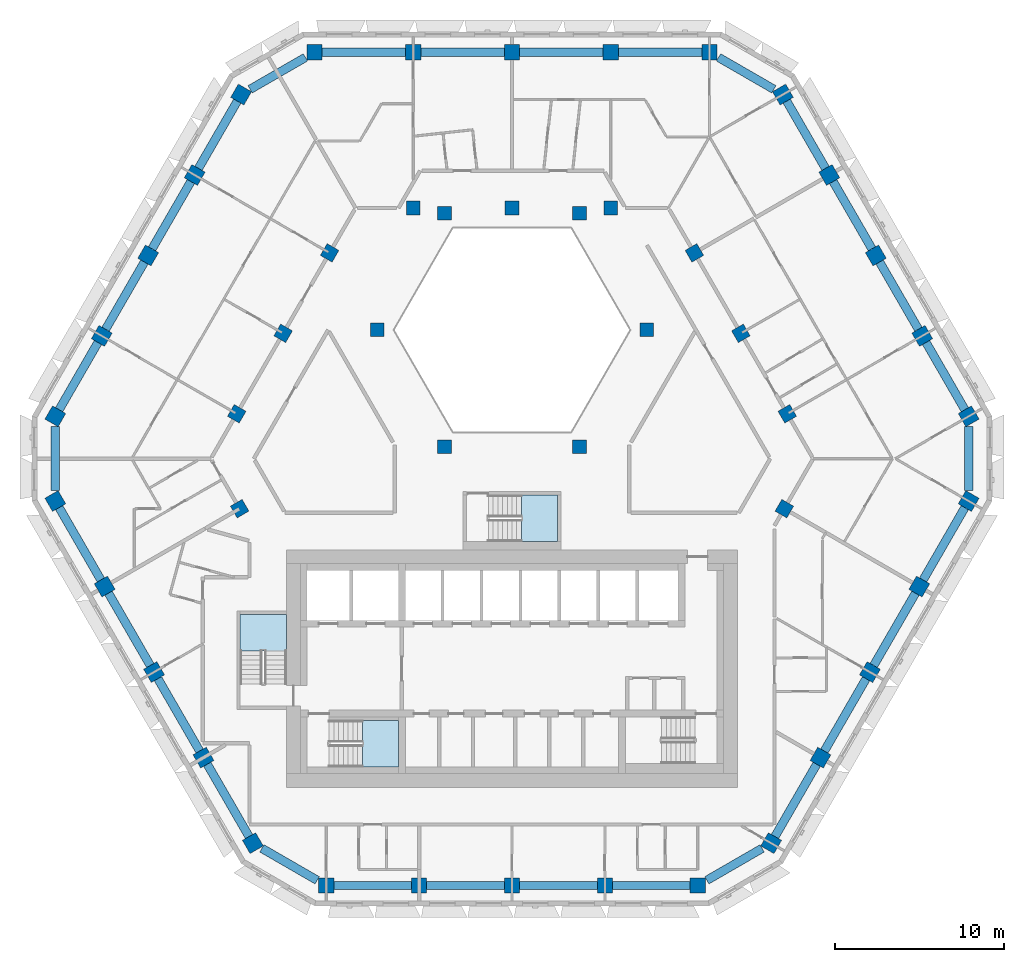
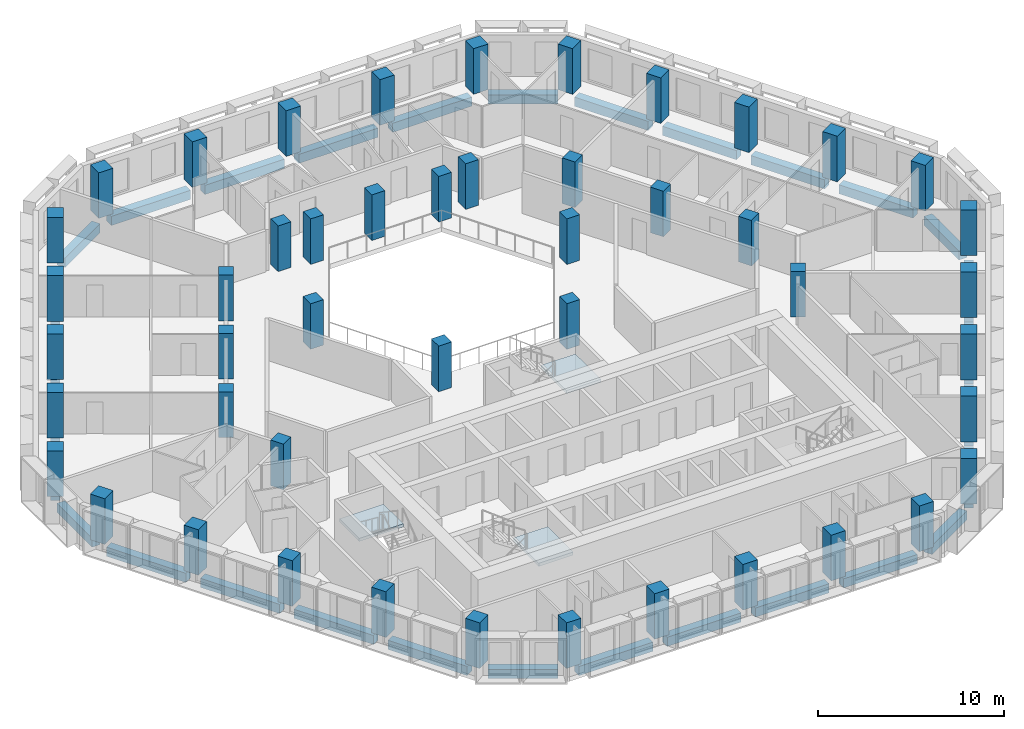
# One storey, part 1 of 18: 47 columns, 30 beams, 3 slabs, 3 elements without a shape of their own.
"""IFC4 building model written with IfcOpenShell, lengths in metres."""

import ifcopenshell
import ifcopenshell.guid

model = None  # the IFC model being written
_history = None  # IfcOwnerHistory: only IFC2X3 demands one
_inside = {}  # id of a spatial element -> (the spatial element, [elements in it])
_under = {}  # id of a project, library or spatial element -> (it, [spatial elements below it])
_declared = {}  # id of a project -> (the project, [libraries it declares])
_typed = {}  # id of a type object -> (the type object, [elements of that type])
_made_of = {}  # id of a material, layer set ... -> (it, [elements and type objects made of it])


def new_model(schema):
    """Start an empty IFC model of exactly this schema.

    Asked for "IFC4X3", IfcOpenShell would pick the latest addendum, in which some entities
    have other attributes; the version numbers below select the first issue.
    IFC2X3 requires an IfcOwnerHistory on every rooted entity: one is made here for all.
    """
    global model, _history
    if schema == "IFC4X3":
        model = ifcopenshell.file(schema_version=(4, 3, 0, 0))
    else:
        model = ifcopenshell.file(schema=schema)
    _inside.clear()
    _under.clear()
    _declared.clear()
    _typed.clear()
    _made_of.clear()
    _history = None
    if model.schema == "IFC2X3":
        org = make("IfcOrganization", Name="unknown")
        user = make(
            "IfcPersonAndOrganization",
            ThePerson=make("IfcPerson", FamilyName="unknown"),
            TheOrganization=org,
        )
        app = make(
            "IfcApplication",
            ApplicationDeveloper=org,
            Version="unknown",
            ApplicationFullName="unknown",
            ApplicationIdentifier="unknown",
        )
        _history = make(
            "IfcOwnerHistory",
            OwningUser=user,
            OwningApplication=app,
            ChangeAction="ADDED",
            CreationDate=0,
        )
    return model


def make(cls, **values):
    """One entity of the class cls with the attributes given. An attribute that is None is left unset."""
    return model.create_entity(
        cls, **{name: value for name, value in values.items() if value is not None}
    )


def rooted(cls, **values):
    """An entity with a GlobalId (a new one), such as an element, a storey or a relation."""
    return make(cls, GlobalId=ifcopenshell.guid.new(), OwnerHistory=_history, **values)


def si_unit(unit_type, name, prefix=None):
    """IfcSIUnit, for example si_unit("LENGTHUNIT", "METRE", prefix="MILLI")."""
    return make("IfcSIUnit", UnitType=unit_type, Prefix=prefix, Name=name)


def assignment(units):
    """IfcUnitAssignment: the units of a project."""
    return None if units is None else make("IfcUnitAssignment", Units=units)


def point(xyz):
    """IfcCartesianPoint."""
    return None if xyz is None else make("IfcCartesianPoint", Coordinates=xyz)


def direction(xyz):
    """IfcDirection."""
    return None if xyz is None else make("IfcDirection", DirectionRatios=xyz)


def frame(location, z_axis=None, x_axis=None):
    """IfcAxis2Placement3D, a coordinate frame: its origin and axes. An axis left out is left unset."""
    return make(
        "IfcAxis2Placement3D",
        Location=point(location),
        Axis=direction(z_axis),
        RefDirection=direction(x_axis),
    )


def frame_2d(location, x_axis=None):
    """IfcAxis2Placement2D, a coordinate frame in the plane: its origin and x axis."""
    return make(
        "IfcAxis2Placement2D", Location=point(location), RefDirection=direction(x_axis)
    )


def origin():
    """The frame at (0, 0, 0) with its axes left unset."""
    return frame((0.0, 0.0, 0.0))


def origin_2d():
    """The frame at (0, 0) in the plane with its x axis left unset."""
    return frame_2d((0.0, 0.0))


def place(relative_to, where):
    """IfcLocalPlacement: puts the frame where relative to a parent placement (None: the world)."""
    return make(
        "IfcLocalPlacement", PlacementRelTo=relative_to, RelativePlacement=where
    )


def context(
    kind, dimensions, precision=None, world=None, true_north=None, identifier=None
):
    """IfcGeometricRepresentationContext, for example the 3D "Model" context."""
    return make(
        "IfcGeometricRepresentationContext",
        ContextIdentifier=identifier,
        ContextType=kind,
        CoordinateSpaceDimension=dimensions,
        Precision=precision,
        WorldCoordinateSystem=world,
        TrueNorth=true_north,
    )


def subcontext(parent, identifier, kind, view, scale=None):
    """IfcGeometricRepresentationSubContext, for example "Body" below "Model"."""
    return make(
        "IfcGeometricRepresentationSubContext",
        ContextIdentifier=identifier,
        ContextType=kind,
        ParentContext=parent,
        TargetScale=scale,
        TargetView=view,
    )


def project(units=None, contexts=None):
    """IfcProject with its units and contexts."""
    return rooted(
        "IfcProject",
        Name="project",
        RepresentationContexts=contexts,
        UnitsInContext=assignment(units),
    )


def spatial(cls, under=None, at=None, **own):
    """A site, building, storey or space (cls), placed at a placement, below another one or the project."""
    s = rooted(cls, ObjectPlacement=at, **own)
    if under is not None:
        _under.setdefault(under.id(), (under, []))[1].append(s)
    return s


def polyline(points):
    """IfcPolyline through the points."""
    return make("IfcPolyline", Points=[point(p) for p in points])


def profile(cls, at=None, kind="AREA", **sizes):
    """A parametric profile (cls). Its sizes go by their IFC names, for example OverallWidth=200.0."""
    return make(cls, ProfileType=kind, Position=at, **sizes)


def rectangle(**sizes):
    """IfcRectangleProfileDef."""
    return profile("IfcRectangleProfileDef", **sizes)


def outline(outer, holes=None, kind="AREA"):
    """IfcArbitraryClosedProfileDef: a profile drawn as a closed curve; with holes, ...WithVoids."""
    if holes is None:
        return make("IfcArbitraryClosedProfileDef", ProfileType=kind, OuterCurve=outer)
    return make(
        "IfcArbitraryProfileDefWithVoids",
        ProfileType=kind,
        OuterCurve=outer,
        InnerCurves=holes,
    )


def extrude(swept, where, along, depth):
    """IfcExtrudedAreaSolid: the profile swept, set in the frame where, extruded along a direction by depth."""
    return make(
        "IfcExtrudedAreaSolid",
        SweptArea=swept,
        Position=where,
        ExtrudedDirection=direction(along),
        Depth=depth,
    )


def shape(context_of_items, identifier, shape_type, items):
    """IfcShapeRepresentation: the items that make up one representation, for example the "Body"."""
    return make(
        "IfcShapeRepresentation",
        ContextOfItems=context_of_items,
        RepresentationIdentifier=identifier,
        RepresentationType=shape_type,
        Items=items,
    )


def material(Name=None, Category=None):
    """IfcMaterial."""
    return make("IfcMaterial", Name=Name, Category=Category)


def layer(
    of_material, thickness, ventilated=None, Name=None, Category=None, Priority=None
):
    """IfcMaterialLayer: one layer of a wall or slab, of a material (None: an air gap)."""
    return make(
        "IfcMaterialLayer",
        Material=of_material,
        LayerThickness=thickness,
        IsVentilated=ventilated,
        Name=Name,
        Category=Category,
        Priority=Priority,
    )


def layer_set(layers, Name=None):
    """IfcMaterialLayerSet."""
    return make("IfcMaterialLayerSet", MaterialLayers=layers, LayerSetName=Name)


def material_profile(
    of_material, cross_section, Name=None, Category=None, Priority=None
):
    """IfcMaterialProfile: a cross section and its material."""
    return make(
        "IfcMaterialProfile",
        Name=Name,
        Material=of_material,
        Profile=cross_section,
        Priority=Priority,
        Category=Category,
    )


def profile_set(profiles, Name=None, composite=None):
    """IfcMaterialProfileSet."""
    return make(
        "IfcMaterialProfileSet",
        Name=Name,
        MaterialProfiles=profiles,
        CompositeProfile=composite,
    )


def made_of(thing, what):
    """Note that an element or type object is made of a material, layer set ...; save() writes the relation."""
    if what is not None:
        _made_of.setdefault(what.id(), (what, []))[1].append(thing)
    return thing


def type_object(cls, material=None, **own):
    """A type object (cls), such as IfcWallType, which elements share."""
    return made_of(rooted(cls, **own), material)


def element(
    cls,
    number,
    at=None,
    inside=None,
    cuts=None,
    type_object=None,
    material=None,
    context=None,
    identifier="Body",
    shape_type=None,
    held_by="IfcProductDefinitionShape",
    body=None,
    shapes=None,
    **own,
):
    """One element of the class cls, such as IfcWall. Its Tag is "e" and its number.

    at: its placement. inside: the storey or other place that contains it. cuts: it is an
    opening in that element (IfcRelVoidsElement). A single representation is given by context,
    identifier, shape_type and body (its items); several are given by shapes. held_by: the class
    of the entity that holds the representations. save() writes the other relations.
    """
    e = rooted(cls, Tag="e%d" % number, ObjectPlacement=at, **own)
    if body is not None:
        shapes = [shape(context, identifier, shape_type, body)]
    if shapes is not None:
        e.Representation = make(held_by, Representations=shapes)
    if inside is not None:
        _inside.setdefault(inside.id(), (inside, []))[1].append(e)
    if cuts is not None:
        rooted(
            "IfcRelVoidsElement", RelatingBuildingElement=cuts, RelatedOpeningElement=e
        )
    if type_object is not None:
        _typed.setdefault(type_object.id(), (type_object, []))[1].append(e)
    return made_of(e, material)


def aggregate(whole, parts):
    """IfcRelAggregates: a whole, such as a stair, and the parts it consists of."""
    return rooted("IfcRelAggregates", RelatingObject=whole, RelatedObjects=parts)


def save(model, path):
    """Write the relations noted so far, then the file.

    IfcRelAggregates (storeys below a building ...), IfcRelContainedInSpatialStructure (elements
    in a storey), IfcRelDefinesByType, IfcRelAssociatesMaterial and IfcRelDeclares: one each for
    every whole, place, type object, material and project.
    """
    for whole, parts in _under.values():
        aggregate(whole, parts)
    for where, things in _inside.values():
        rooted(
            "IfcRelContainedInSpatialStructure",
            RelatedElements=things,
            RelatingStructure=where,
        )
    for kind, things in _typed.values():
        rooted("IfcRelDefinesByType", RelatedObjects=things, RelatingType=kind)
    for what, things in _made_of.values():
        rooted("IfcRelAssociatesMaterial", RelatedObjects=things, RelatingMaterial=what)
    for by, libraries in _declared.values():
        rooted("IfcRelDeclares", RelatingContext=by, RelatedDefinitions=libraries)
    model.write(path)


model = new_model("IFC4")

# Units and contexts
model_context = context("Model", 3, precision=1e-05, world=origin(), true_north=direction((0.0, 1.0)))
body_context = subcontext(model_context, "Body", "Model", "MODEL_VIEW")
ifc_project = project(units=[si_unit("LENGTHUNIT", "METRE"), si_unit("AREAUNIT", "SQUARE_METRE"), si_unit("VOLUMEUNIT", "CUBIC_METRE"), si_unit("PLANEANGLEUNIT", "RADIAN"), si_unit("MASSUNIT", "GRAM", prefix="KILO")], contexts=[model_context])

# Site, building, storey
site_placement = place(None, origin())
site = spatial("IfcSite", under=ifc_project, at=site_placement, CompositionType="ELEMENT")
building_placement = place(site_placement, origin())
building = spatial("IfcBuilding", under=site, at=building_placement, Name="Beryl Residences", CompositionType="ELEMENT")
storey_placement = place(building_placement, frame((0.0, 0.0, 138.60009765625)))
storey = spatial("IfcBuildingStorey", under=building, at=storey_placement, Name="L42", CompositionType="ELEMENT", Elevation=138.60009765625)

# Columns
ifc_material_1 = material(Name="Concrete C60/75", Category="concrete")
ifc_material_profile_1 = material_profile(ifc_material_1, rectangle(XDim=0.89990234375, YDim=0.89990234375, at=origin_2d()))
ifc_profile_set_1 = profile_set([ifc_material_profile_1], Name="Concrete C60/75")
column_type_1 = type_object("IfcColumnType", Name="C3 tube column 900 x 900 C60/75", PredefinedType="COLUMN", material=ifc_profile_set_1)
for number, where, z_axis, x_axis, name in (
    (1, (11.662109375, 24.39990234375, 0.0), (0.0, 0.0, 1.0), (-1.0, 0.0, 0.0), "C3-N1 L42"),
    (2, (5.8310546875, 24.39990234375, 0.0), (0.0, 0.0, 1.0), (-1.0, 0.0, 0.0), "C3-N2 L42"),
    (3, (0.0, 24.39990234375, 0.0), (0.0, 0.0, 1.0), (-1.0, 0.0, 0.0), "C3-N3 L42"),
    (4, (-5.8310546875, 24.39990234375, 0.0), (0.0, 0.0, 1.0), (-1.0, 0.0, 0.0), "C3-N4 L42"),
    (5, (-11.662109375, 24.39990234375, 0.0), (0.0, 0.0, 1.0), (-1.0, 0.0, 0.0), "C3-N5 L42"),
    (6, (-15.992919921875, 21.89990234375, 0.0), (0.0, 0.0, 1.0), (-0.5, -0.866025403784, 0.0), "C3-NW1 L42"),
    (7, (-18.735107421875, 17.14990234375, 0.0), (0.0, 0.0, 1.0), (-0.5, -0.866025403784, 0.0), "C3-NW2 L42"),
    (8, (-21.47802734375, 12.39990234375, 0.0), (0.0, 0.0, 1.0), (-0.5, -0.866025403784, 0.0), "C3-NW3 L42"),
    (9, (-24.219970703125, 7.64990234375, 0.0), (0.0, 0.0, 1.0), (-0.5, -0.866025403784, 0.0), "C3-NW4 L42"),
    (10, (-26.962890625, 2.89990234375, 0.0), (0.0, 0.0, 1.0), (-0.5, -0.866025403784, 0.0), "C3-NW5 L42"),
    (11, (-26.9619140625, -2.10009765625, 0.0), (0.0, 0.0, 1.0), (0.5, -0.866025403784, 0.0), "C3-SW1 L42"),
    (12, (-24.047119140625, -7.14892578125, 0.0), (0.0, 0.0, 1.0), (0.5, -0.866025403784, 0.0), "C3-SW2 L42"),
    (13, (-21.131103515625, -12.198974609375, 0.0), (0.0, 0.0, 1.0), (0.5, -0.866025403784, 0.0), "C3-SW3 L42"),
    (14, (-18.216064453125, -17.2490234375, 0.0), (0.0, 0.0, 1.0), (0.5, -0.866025403784, 0.0), "C3-SW4 L42"),
    (15, (-15.300048828125, -22.299072265625, 0.0), (0.0, 0.0, 1.0), (0.5, -0.866025403784, 0.0), "C3-SW5 L42"),
    (16, (-10.968994140625, -24.800048828125, 0.0), (0.0, 0.0, 1.0), (1.0, 0.0, 0.0), "C3-S1 L42"),
    (17, (-5.48388671875, -24.800048828125, 0.0), (0.0, 0.0, 1.0), (1.0, 0.0, 0.0), "C3-S2 L42"),
    (18, (0.0009765625, -24.800048828125, 0.0), (0.0, 0.0, 1.0), (1.0, 0.0, 0.0), "C3-S3 L42"),
    (19, (5.486083984375, -24.800048828125, 0.0), (0.0, 0.0, 1.0), (1.0, 0.0, 0.0), "C3-S4 L42"),
    (20, (10.970947265625, -24.800048828125, 0.0), (0.0, 0.0, 1.0), (1.0, 0.0, 0.0), "C3-S5 L42"),
    (21, (15.299072265625, -22.300048828125, 0.0), (0.0, 0.0, 1.0), (0.5, 0.866025403784, 0.0), "C3-SE1 L42"),
    (22, (18.215087890625, -17.2509765625, 0.0), (0.0, 0.0, 1.0), (0.5, 0.866025403784, 0.0), "C3-SE2 L42"),
    (23, (21.1298828125, -12.200927734375, 0.0), (0.0, 0.0, 1.0), (0.5, 0.866025403784, 0.0), "C3-SE3 L42"),
    (24, (24.0458984375, -7.15087890625, 0.0), (0.0, 0.0, 1.0), (0.5, 0.866025403784, 0.0), "C3-SE4 L42"),
    (25, (26.9609375, -2.10107421875, 0.0), (0.0, 0.0, 1.0), (0.5, 0.866025403784, 0.0), "C3-SE5 L42"),
    (26, (26.962890625, 2.89990234375, 0.0), (0.0, 0.0, 1.0), (-0.5, 0.866025403784, 0.0), "C3-NE1 L42"),
    (27, (24.219970703125, 7.64990234375, 0.0), (0.0, 0.0, 1.0), (-0.5, 0.866025403784, 0.0), "C3-NE2 L42"),
    (28, (21.47802734375, 12.39990234375, 0.0), (0.0, 0.0, 1.0), (-0.5, 0.866025403784, 0.0), "C3-NE3 L42"),
    (29, (18.735107421875, 17.14990234375, 0.0), (0.0, 0.0, 1.0), (-0.5, 0.866025403784, 0.0), "C3-NE4 L42"),
    (30, (15.992919921875, 21.89990234375, 0.0), (0.0, 0.0, 1.0), (-0.5, 0.866025403784, 0.0), "C3-NE5 L42"),
):
    element("IfcColumn", number, at=place(storey_placement, frame(where, z_axis=z_axis, x_axis=x_axis)), inside=storey, type_object=column_type_1, Name=name, PredefinedType="COLUMN", context=body_context, shape_type="SweptSolid", body=[
        extrude(rectangle(XDim=0.89990234375, YDim=0.89990234375, at=origin_2d()), origin(), (0.0, 0.0, 1.0), 3.0),
    ])
ifc_material_2 = material(Name="Concrete C60/75", Category="concrete")
ifc_material_profile_2 = material_profile(ifc_material_2, rectangle(XDim=0.800048828125, YDim=0.800048828125, at=origin_2d()))
ifc_profile_set_2 = profile_set([ifc_material_profile_2], Name="Concrete C60/75")
column_type_2 = type_object("IfcColumnType", Name="IC3 interior column 800 x 800 C60/75", PredefinedType="COLUMN", material=ifc_profile_set_2)
for number, where, z_axis, x_axis, name in (
    (31, (-16.0791015625, -2.549072265625, 0.0), (0.0, 0.0, 1.0), (0.5, -0.866025403784, 0.0), "IC3-M01 L42"),
    (32, (16.077880859375, -2.551025390625, 0.0), (0.0, 0.0, 1.0), (0.5, 0.866025403784, 0.0), "IC3-M02 L42"),
    (33, (16.2529296875, 3.050048828125, 0.0), (0.0, 0.0, 1.0), (-0.5, 0.866025403784, 0.0), "IC3-M03 L42"),
    (34, (3.98388671875, 1.10009765625, 0.0), (0.0, 0.0, 1.0), (1.0, 0.0, 0.0), "IC3-A04 L42"),
    (35, (13.510009765625, 7.800048828125, 0.0), (0.0, 0.0, 1.0), (-0.5, 0.866025403784, 0.0), "IC3-M05 L42"),
    (36, (7.967041015625, 8.0, 0.0), (0.0, 0.0, 1.0), (1.0, 0.0, 0.0), "IC3-A06 L42"),
    (37, (10.76806640625, 12.550048828125, 0.0), (0.0, 0.0, 1.0), (-0.5, 0.866025403784, 0.0), "IC3-M07 L42"),
    (38, (5.8310546875, 15.199951171875, 0.0), (0.0, 0.0, 1.0), (-1.0, 0.0, 0.0), "IC3-M08 L42"),
    (39, (3.98388671875, 14.89990234375, 0.0), (0.0, 0.0, 1.0), (1.0, 0.0, 0.0), "IC3-A09 L42"),
    (40, (0.0, 15.199951171875, 0.0), (0.0, 0.0, 1.0), (-1.0, 0.0, 0.0), "IC3-M10 L42"),
    (41, (-3.98388671875, 14.89990234375, 0.0), (0.0, 0.0, 1.0), (1.0, 0.0, 0.0), "IC3-A11 L42"),
    (42, (-5.8310546875, 15.199951171875, 0.0), (0.0, 0.0, 1.0), (-1.0, 0.0, 0.0), "IC3-M12 L42"),
    (43, (-10.76806640625, 12.550048828125, 0.0), (0.0, 0.0, 1.0), (-0.5, -0.866025403784, 0.0), "IC3-M13 L42"),
    (44, (-7.967041015625, 8.0, 0.0), (0.0, 0.0, 1.0), (1.0, 0.0, 0.0), "IC3-A14 L42"),
    (45, (-13.510009765625, 7.800048828125, 0.0), (0.0, 0.0, 1.0), (-0.5, -0.866025403784, 0.0), "IC3-M15 L42"),
    (46, (-3.98388671875, 1.10009765625, 0.0), (0.0, 0.0, 1.0), (1.0, 0.0, 0.0), "IC3-A16 L42"),
    (47, (-16.2529296875, 3.050048828125, 0.0), (0.0, 0.0, 1.0), (-0.5, -0.866025403784, 0.0), "IC3-M17 L42"),
):
    element("IfcColumn", number, at=place(storey_placement, frame(where, z_axis=z_axis, x_axis=x_axis)), inside=storey, type_object=column_type_2, Name=name, PredefinedType="COLUMN", context=body_context, shape_type="SweptSolid", body=[
        extrude(rectangle(XDim=0.800048828125, YDim=0.800048828125, at=origin_2d()), origin(), (0.0, 0.0, 1.0), 3.0),
    ])

# Beams
ifc_material_3 = material(Name="Concrete C60/75", Category="concrete")
ifc_material_profile_3 = material_profile(ifc_material_3, rectangle(XDim=0.5, YDim=0.60009765625, at=origin_2d()))
ifc_profile_set_3 = profile_set([ifc_material_profile_3], Name="Concrete C60/75")
beam_type = type_object("IfcBeamType", Name="SB3 spandrel beam 500 x 600 C60/75", PredefinedType="SPANDREL", material=ifc_profile_set_3)
beam_1_placement = place(storey_placement, frame((11.2119140625, 24.39990234375, -0.60009765625), z_axis=(-1.0, 0.0, 0.0), x_axis=(0.0, -1.0, 0.0)))
element("IfcBeam", 48, at=beam_1_placement, inside=storey, type_object=beam_type, Name="SB3 L42 N-0", PredefinedType="SPANDREL", context=body_context, shape_type="SweptSolid", body=[
    extrude(rectangle(XDim=0.5, YDim=0.60009765625, at=origin_2d()), origin(), (0.0, 0.0, 1.0), 4.930908203125),
])
for number, where, z_axis, x_axis, name in (
    (49, (5.381103515625, 24.39990234375, -0.60009765625), (-1.0, 0.0, 0.0), (0.0, -1.0, 0.0), "SB3 L42 N-1"),
    (50, (-0.449951171875, 24.39990234375, -0.60009765625), (-1.0, 0.0, 0.0), (0.0, -1.0, 0.0), "SB3 L42 N-2"),
):
    element("IfcBeam", number, at=place(storey_placement, frame(where, z_axis=z_axis, x_axis=x_axis)), inside=storey, type_object=beam_type, Name=name, PredefinedType="SPANDREL", context=body_context, shape_type="SweptSolid", body=[
        extrude(rectangle(XDim=0.5, YDim=0.60009765625, at=origin_2d()), origin(), (0.0, 0.0, 1.0), 4.93115234375),
    ])
beam_2_placement = place(storey_placement, frame((-6.281005859375, 24.39990234375, -0.60009765625), z_axis=(-1.0, 0.0, 0.0), x_axis=(0.0, -1.0, 0.0)))
element("IfcBeam", 51, at=beam_2_placement, inside=storey, type_object=beam_type, Name="SB3 L42 N-3", PredefinedType="SPANDREL", context=body_context, shape_type="SweptSolid", body=[
    extrude(rectangle(XDim=0.5, YDim=0.60009765625, at=origin_2d()), origin(), (0.0, 0.0, 1.0), 4.930908203125),
])
beam_3_placement = place(storey_placement, frame((-12.194091796875, 24.093017578125, -0.60009765625), z_axis=(-0.866040087317, -0.499974566514, 0.0), x_axis=(0.499974566514, -0.866040087317, 0.0)))
element("IfcBeam", 52, at=beam_3_placement, inside=storey, type_object=beam_type, Name="SB3 L42 N-4", PredefinedType="SPANDREL", context=body_context, shape_type="SweptSolid", body=[
    extrude(rectangle(XDim=0.5, YDim=0.60009765625, at=origin_2d()), origin(), (0.0, 0.0, 1.0), 3.772216796875),
])
beam_4_placement = place(storey_placement, frame((-16.218017578125, 21.510009765625, -0.60009765625), z_axis=(-0.49998830735, -0.866032154434, 0.0), x_axis=(0.866032154434, -0.49998830735, 0.0)))
element("IfcBeam", 53, at=beam_4_placement, inside=storey, type_object=beam_type, Name="SB3 L42 NW-0", PredefinedType="SPANDREL", context=body_context, shape_type="SweptSolid", body=[
    extrude(rectangle(XDim=0.5, YDim=0.60009765625, at=origin_2d()), origin(), (0.0, 0.0, 1.0), 4.583984375),
])
beam_5_placement = place(storey_placement, frame((-18.9599609375, 16.760009765625, -0.60009765625), z_axis=(-0.500148059018, -0.865939904993, 0.0), x_axis=(0.865939904993, -0.500148059018, 0.0)))
element("IfcBeam", 54, at=beam_5_placement, inside=storey, type_object=beam_type, Name="SB3 L42 NW-1", PredefinedType="SPANDREL", context=body_context, shape_type="SweptSolid", body=[
    extrude(rectangle(XDim=0.5, YDim=0.60009765625, at=origin_2d()), origin(), (0.0, 0.0, 1.0), 4.58447265625),
])
beam_6_placement = place(storey_placement, frame((-21.702880859375, 12.010009765625, -0.60009765625), z_axis=(-0.500028250054, -0.866009092994, 0.0), x_axis=(0.866009092994, -0.500028250054, 0.0)))
element("IfcBeam", 55, at=beam_6_placement, inside=storey, type_object=beam_type, Name="SB3 L42 NW-2", PredefinedType="SPANDREL", context=body_context, shape_type="SweptSolid", body=[
    extrude(rectangle(XDim=0.5, YDim=0.60009765625, at=origin_2d()), origin(), (0.0, 0.0, 1.0), 4.584228515625),
])
beam_7_placement = place(storey_placement, frame((-24.445068359375, 7.260009765625, -0.60009765625), z_axis=(-0.500148059018, -0.865939904993, 0.0), x_axis=(0.865939904993, -0.500148059018, 0.0)))
element("IfcBeam", 56, at=beam_7_placement, inside=storey, type_object=beam_type, Name="SB3 L42 NW-3", PredefinedType="SPANDREL", context=body_context, shape_type="SweptSolid", body=[
    extrude(rectangle(XDim=0.5, YDim=0.60009765625, at=origin_2d()), origin(), (0.0, 0.0, 1.0), 4.58447265625),
])
beam_8_placement = place(storey_placement, frame((-26.962890625, 2.285888671875, -0.60009765625), z_axis=(0.000258899668, -0.999999966485, 0.0), x_axis=(0.999999966485, 0.000258899668, 0.0)))
element("IfcBeam", 57, at=beam_8_placement, inside=storey, type_object=beam_type, Name="SB3 L42 NW-4", PredefinedType="SPANDREL", context=body_context, shape_type="SweptSolid", body=[
    extrude(rectangle(XDim=0.5, YDim=0.60009765625, at=origin_2d()), origin(), (0.0, 0.0, 1.0), 3.77197265625),
])
beam_9_placement = place(storey_placement, frame((-26.737060546875, -2.489990234375, -0.60009765625), z_axis=(0.50005397607, -0.865994238443, 0.0), x_axis=(0.865994238443, 0.50005397607, 0.0)))
element("IfcBeam", 58, at=beam_9_placement, inside=storey, type_object=beam_type, Name="SB3 L42 SW-0", PredefinedType="SPANDREL", context=body_context, shape_type="SweptSolid", body=[
    extrude(rectangle(XDim=0.5, YDim=0.60009765625, at=origin_2d()), origin(), (0.0, 0.0, 1.0), 4.9296875),
])
beam_10_placement = place(storey_placement, frame((-23.822021484375, -7.5390625, -0.60009765625), z_axis=(0.500116736097, -0.865957995677, 0.0), x_axis=(0.865957995677, 0.500116736097, 0.0)))
element("IfcBeam", 59, at=beam_10_placement, inside=storey, type_object=beam_type, Name="SB3 L42 SW-1", PredefinedType="SPANDREL", context=body_context, shape_type="SweptSolid", body=[
    extrude(rectangle(XDim=0.5, YDim=0.60009765625, at=origin_2d()), origin(), (0.0, 0.0, 1.0), 4.930908203125),
])
beam_11_placement = place(storey_placement, frame((-20.906005859375, -12.589111328125, -0.60009765625), z_axis=(0.499989643469, -0.866031383048, 0.0), x_axis=(0.866031383048, 0.499989643469, 0.0)))
element("IfcBeam", 60, at=beam_11_placement, inside=storey, type_object=beam_type, Name="SB3 L42 SW-2", PredefinedType="SPANDREL", context=body_context, shape_type="SweptSolid", body=[
    extrude(rectangle(XDim=0.5, YDim=0.60009765625, at=origin_2d()), origin(), (0.0, 0.0, 1.0), 4.93017578125),
])
beam_12_placement = place(storey_placement, frame((-17.990966796875, -17.638916015625, -0.60009765625), z_axis=(0.500116736097, -0.865957995677, 0.0), x_axis=(0.865957995677, 0.500116736097, 0.0)))
element("IfcBeam", 61, at=beam_12_placement, inside=storey, type_object=beam_type, Name="SB3 L42 SW-3", PredefinedType="SPANDREL", context=body_context, shape_type="SweptSolid", body=[
    extrude(rectangle(XDim=0.5, YDim=0.60009765625, at=origin_2d()), origin(), (0.0, 0.0, 1.0), 4.930908203125),
])
beam_13_placement = place(storey_placement, frame((-14.76806640625, -22.60595703125, -0.60009765625), z_axis=(0.865944170592, -0.500140673629, 0.0), x_axis=(0.500140673629, 0.865944170592, 0.0)))
element("IfcBeam", 62, at=beam_13_placement, inside=storey, type_object=beam_type, Name="SB3 L42 SW-4", PredefinedType="SPANDREL", context=body_context, shape_type="SweptSolid", body=[
    extrude(rectangle(XDim=0.5, YDim=0.60009765625, at=origin_2d()), origin(), (0.0, 0.0, 1.0), 3.77294921875),
])
for number, where, z_axis, x_axis, name in (
    (63, (-10.51904296875, -24.800048828125, -0.60009765625), (1.0, 0.0, 0.0), (0.0, 1.0, 0.0), "SB3 L42 S-0"),
    (64, (-5.033935546875, -24.800048828125, -0.60009765625), (1.0, 0.0, 0.0), (0.0, 1.0, 0.0), "SB3 L42 S-1"),
    (65, (0.450927734375, -24.800048828125, -0.60009765625), (1.0, 0.0, 0.0), (0.0, 1.0, 0.0), "SB3 L42 S-2"),
    (66, (5.93603515625, -24.800048828125, -0.60009765625), (1.0, 0.0, 0.0), (0.0, 1.0, 0.0), "SB3 L42 S-3"),
):
    element("IfcBeam", number, at=place(storey_placement, frame(where, z_axis=z_axis, x_axis=x_axis)), inside=storey, type_object=beam_type, Name=name, PredefinedType="SPANDREL", context=body_context, shape_type="SweptSolid", body=[
        extrude(rectangle(XDim=0.5, YDim=0.60009765625, at=origin_2d()), origin(), (0.0, 0.0, 1.0), 4.5849609375),
    ])
beam_14_placement = place(storey_placement, frame((11.5029296875, -24.492919921875, -0.60009765625), z_axis=(0.865861956233, 0.500282992663, 0.0), x_axis=(-0.500282992663, 0.865861956233, 0.0)))
element("IfcBeam", 67, at=beam_14_placement, inside=storey, type_object=beam_type, Name="SB3 L42 S-4", PredefinedType="SPANDREL", context=body_context, shape_type="SweptSolid", body=[
    extrude(rectangle(XDim=0.5, YDim=0.60009765625, at=origin_2d()), origin(), (0.0, 0.0, 1.0), 3.769775390625),
])
beam_15_placement = place(storey_placement, frame((15.52392578125, -21.909912109375, -0.60009765625), z_axis=(0.500223967704, 0.86589605735, 0.0), x_axis=(-0.86589605735, 0.500223967704, 0.0)))
element("IfcBeam", 68, at=beam_15_placement, inside=storey, type_object=beam_type, Name="SB3 L42 SE-0", PredefinedType="SPANDREL", context=body_context, shape_type="SweptSolid", body=[
    extrude(rectangle(XDim=0.5, YDim=0.60009765625, at=origin_2d()), origin(), (0.0, 0.0, 1.0), 4.929931640625),
])
beam_16_placement = place(storey_placement, frame((18.43994140625, -16.861083984375, -0.60009765625), z_axis=(0.499968202334, 0.866043761397, 0.0), x_axis=(-0.866043761397, 0.499968202334, 0.0)))
element("IfcBeam", 69, at=beam_16_placement, inside=storey, type_object=beam_type, Name="SB3 L42 SE-1", PredefinedType="SPANDREL", context=body_context, shape_type="SweptSolid", body=[
    extrude(rectangle(XDim=0.5, YDim=0.60009765625, at=origin_2d()), origin(), (0.0, 0.0, 1.0), 4.930419921875),
])
beam_17_placement = place(storey_placement, frame((21.35498046875, -11.81103515625, -0.60009765625), z_axis=(0.500116736097, 0.865957995677, 0.0), x_axis=(-0.865957995677, 0.500116736097, 0.0)))
element("IfcBeam", 70, at=beam_17_placement, inside=storey, type_object=beam_type, Name="SB3 L42 SE-2", PredefinedType="SPANDREL", context=body_context, shape_type="SweptSolid", body=[
    extrude(rectangle(XDim=0.5, YDim=0.60009765625, at=origin_2d()), origin(), (0.0, 0.0, 1.0), 4.930908203125),
])
beam_18_placement = place(storey_placement, frame((24.27099609375, -6.760986328125, -0.60009765625), z_axis=(0.499968202334, 0.866043761397, 0.0), x_axis=(-0.866043761397, 0.499968202334, 0.0)))
element("IfcBeam", 71, at=beam_18_placement, inside=storey, type_object=beam_type, Name="SB3 L42 SE-3", PredefinedType="SPANDREL", context=body_context, shape_type="SweptSolid", body=[
    extrude(rectangle(XDim=0.5, YDim=0.60009765625, at=origin_2d()), origin(), (0.0, 0.0, 1.0), 4.930419921875),
])
beam_19_placement = place(storey_placement, frame((26.9609375, -1.487060546875, -0.60009765625), z_axis=(0.00051766526, 0.999999866011, 0.0), x_axis=(-0.999999866011, 0.00051766526, 0.0)))
element("IfcBeam", 72, at=beam_19_placement, inside=storey, type_object=beam_type, Name="SB3 L42 SE-4", PredefinedType="SPANDREL", context=body_context, shape_type="SweptSolid", body=[
    extrude(rectangle(XDim=0.5, YDim=0.60009765625, at=origin_2d()), origin(), (0.0, 0.0, 1.0), 3.77294921875),
])
beam_20_placement = place(storey_placement, frame((26.738037109375, 3.2900390625, -0.60009765625), z_axis=(-0.500148059018, 0.865939904993, 0.0), x_axis=(-0.865939904993, -0.500148059018, 0.0)))
element("IfcBeam", 73, at=beam_20_placement, inside=storey, type_object=beam_type, Name="SB3 L42 NE-0", PredefinedType="SPANDREL", context=body_context, shape_type="SweptSolid", body=[
    extrude(rectangle(XDim=0.5, YDim=0.60009765625, at=origin_2d()), origin(), (0.0, 0.0, 1.0), 4.58447265625),
])
beam_21_placement = place(storey_placement, frame((23.9951171875, 8.0400390625, -0.60009765625), z_axis=(-0.500028250054, 0.866009092994, 0.0), x_axis=(-0.866009092994, -0.500028250054, 0.0)))
element("IfcBeam", 74, at=beam_21_placement, inside=storey, type_object=beam_type, Name="SB3 L42 NE-1", PredefinedType="SPANDREL", context=body_context, shape_type="SweptSolid", body=[
    extrude(rectangle(XDim=0.5, YDim=0.60009765625, at=origin_2d()), origin(), (0.0, 0.0, 1.0), 4.584228515625),
])
beam_22_placement = place(storey_placement, frame((21.2529296875, 12.7900390625, -0.60009765625), z_axis=(-0.500148059018, 0.865939904993, 0.0), x_axis=(-0.865939904993, -0.500148059018, 0.0)))
element("IfcBeam", 75, at=beam_22_placement, inside=storey, type_object=beam_type, Name="SB3 L42 NE-2", PredefinedType="SPANDREL", context=body_context, shape_type="SweptSolid", body=[
    extrude(rectangle(XDim=0.5, YDim=0.60009765625, at=origin_2d()), origin(), (0.0, 0.0, 1.0), 4.58447265625),
])
beam_23_placement = place(storey_placement, frame((18.510009765625, 17.5400390625, -0.60009765625), z_axis=(-0.49998830735, 0.866032154434, 0.0), x_axis=(-0.866032154434, -0.49998830735, 0.0)))
element("IfcBeam", 76, at=beam_23_placement, inside=storey, type_object=beam_type, Name="SB3 L42 NE-3", PredefinedType="SPANDREL", context=body_context, shape_type="SweptSolid", body=[
    extrude(rectangle(XDim=0.5, YDim=0.60009765625, at=origin_2d()), origin(), (0.0, 0.0, 1.0), 4.583984375),
])
beam_24_placement = place(storey_placement, frame((15.4609375, 22.20703125, -0.60009765625), z_axis=(-0.866040087317, 0.499974566514, 0.0), x_axis=(-0.499974566514, -0.866040087317, 0.0)))
element("IfcBeam", 77, at=beam_24_placement, inside=storey, type_object=beam_type, Name="SB3 L42 NE-4", PredefinedType="SPANDREL", context=body_context, shape_type="SweptSolid", body=[
    extrude(rectangle(XDim=0.5, YDim=0.60009765625, at=origin_2d()), origin(), (0.0, 0.0, 1.0), 3.772216796875),
])

# Stair, slab
ifc_material_4 = material(Name="Concrete C40/50", Category="concrete")
stair_type = type_object("IfcStairType", Name="ST1 protected exit stair, half-turn, 1300 mm flights", PredefinedType="HALF_TURN_STAIR", material=ifc_material_4)
stair_1_placement = place(storey_placement, origin())
stair_1 = element("IfcStair", 78, at=stair_1_placement, inside=storey, type_object=stair_type, Name="L42 PROTECTED EXIT STAIR ST-1", PredefinedType="HALF_TURN_STAIR")
ifc_material_5 = material(Name="Concrete C40/50", Category="concrete")
ifc_layer = layer(ifc_material_5, 0.199951171875)
ifc_layer_set = layer_set([ifc_layer], Name="SLD1 stair landing 200 mm")
slab_type = type_object("IfcSlabType", Name="SLD1 stair landing 200 mm", PredefinedType="LANDING", material=ifc_layer_set)
slab_1_placement = place(storey_placement, frame((0.0, 0.0, 1.2998046875)))
slab_1 = element("IfcSlab", 79, at=slab_1_placement, type_object=slab_type, Name="ST-1 landing 1", PredefinedType="LANDING", context=body_context, shape_type="SweptSolid", body=[
    extrude(outline(polyline([(-8.840087890625, -17.800048828125), (-6.699951171875, -17.800048828125), (-6.699951171875, -15.050048828125), (-8.840087890625, -15.050048828125), (-8.840087890625, -17.800048828125)])), origin(), (0.0, 0.0, 1.0), 0.2001953125),
])
aggregate(stair_1, [slab_1])

stair_2_placement = place(storey_placement, origin())
stair_2 = element("IfcStair", 80, at=stair_2_placement, inside=storey, type_object=stair_type, Name="L42 PROTECTED EXIT STAIR ST-2", PredefinedType="HALF_TURN_STAIR")
slab_2_placement = place(storey_placement, frame((0.0, 0.0, 1.2998046875)))
slab_2 = element("IfcSlab", 81, at=slab_2_placement, type_object=slab_type, Name="ST-2 landing 1", PredefinedType="LANDING", context=body_context, shape_type="SweptSolid", body=[
    extrude(outline(polyline([(-13.300048828125, -10.93994140625), (-13.300048828125, -8.800048828125), (-16.050048828125, -8.800048828125), (-16.050048828125, -10.93994140625), (-13.300048828125, -10.93994140625)])), origin(), (0.0, 0.0, 1.0), 0.2001953125),
])
aggregate(stair_2, [slab_2])

stair_3_placement = place(storey_placement, origin())
stair_3 = element("IfcStair", 82, at=stair_3_placement, inside=storey, type_object=stair_type, Name="L42 PROTECTED EXIT STAIR ST-4", PredefinedType="HALF_TURN_STAIR")
slab_3_placement = place(storey_placement, frame((0.0, 0.0, 1.2998046875)))
slab_3 = element("IfcSlab", 83, at=slab_3_placement, type_object=slab_type, Name="ST-4 landing 1", PredefinedType="LANDING", context=body_context, shape_type="SweptSolid", body=[
    extrude(outline(polyline([(0.56005859375, -4.5), (2.699951171875, -4.5), (2.699951171875, -1.75), (0.56005859375, -1.75), (0.56005859375, -4.5)])), origin(), (0.0, 0.0, 1.0), 0.2001953125),
])
aggregate(stair_3, [slab_3])

save(model, "model.ifc")
